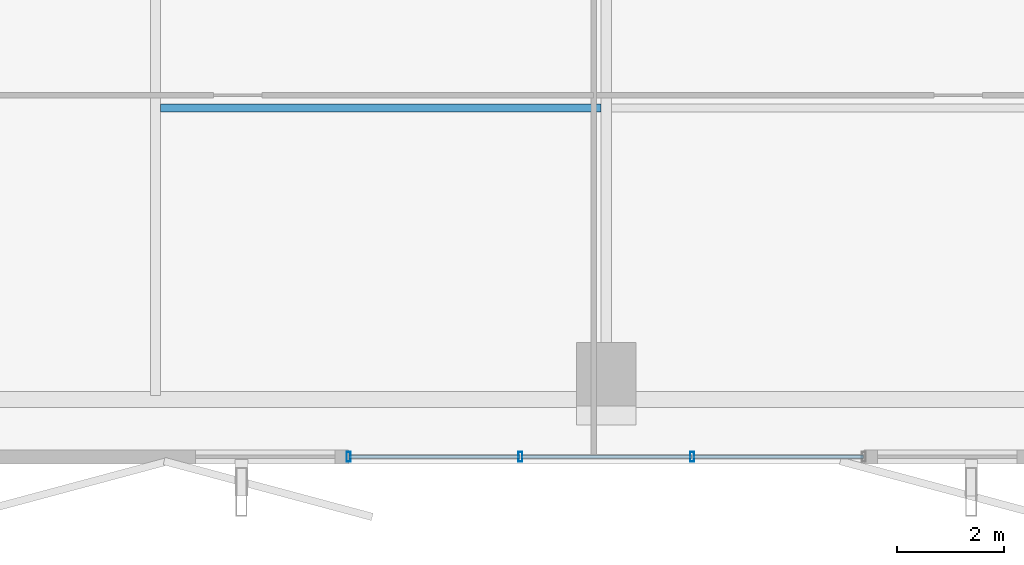
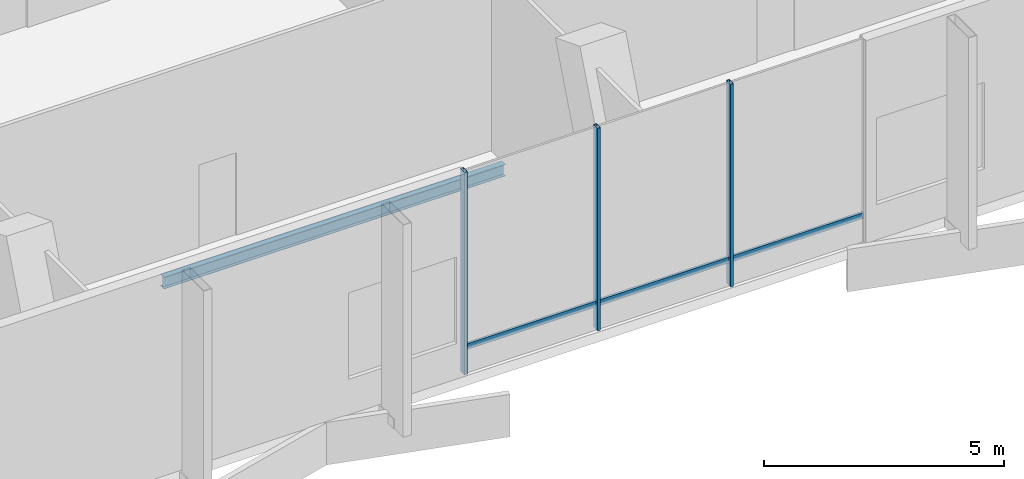
# One storey, part 5 of 33: 6 members, 1 beam, 1 element without a shape of its own.
"""IFC4 building model written with IfcOpenShell, lengths in metres."""

from ifc_helpers import new_model, si_unit, direction, frame, origin, origin_2d, place, context, subcontext, project, spatial, hollow_rectangle, i_section, extrude, material, layer, layer_set, material_profile, profile_set, type_object, element, aggregate, save


model = new_model("IFC4")

# Units and contexts
model_context = context("Model", 3, precision=1e-05, world=origin(), true_north=direction((0.0, 1.0)))
body_context = subcontext(model_context, "Body", "Model", "MODEL_VIEW")
ifc_project = project(units=[si_unit("LENGTHUNIT", "METRE"), si_unit("AREAUNIT", "SQUARE_METRE"), si_unit("VOLUMEUNIT", "CUBIC_METRE"), si_unit("PLANEANGLEUNIT", "RADIAN"), si_unit("MASSUNIT", "GRAM", prefix="KILO")], contexts=[model_context])

# Site, building, storey
site_placement = place(None, origin())
site = spatial("IfcSite", under=ifc_project, at=site_placement, CompositionType="ELEMENT")
building_placement = place(site_placement, origin())
building = spatial("IfcBuilding", under=site, at=building_placement, Name="Belovzor Exchange Tower", CompositionType="ELEMENT")
storey_placement = place(building_placement, frame((0.0, 0.0, 241.199951171875)))
storey = spatial("IfcBuildingStorey", under=building, at=storey_placement, Name="L60", CompositionType="ELEMENT", Elevation=241.199951171875)

# Beam
ifc_material_1 = material(Name="Steel S355", Category="steel")
ifc_material_profile_1 = material_profile(ifc_material_1, i_section(OverallWidth=0.14990234375, OverallDepth=0.300048828125, WebThickness=0.007080078125, FlangeThickness=0.0107421875, at=origin_2d()))
ifc_profile_set_1 = profile_set([ifc_material_profile_1], Name="Steel S355")
beam_type = type_object("IfcBeamType", Name="Secondary Trim Floor Joist IPE 300", PredefinedType="BEAM", material=ifc_profile_set_1)
beam_placement = place(storey_placement, frame((20.4951171875, 8.427001953125, -0.39990234375), z_axis=(1.0, 0.0, 0.0), x_axis=(0.0, 1.0, 0.0)))
element("IfcBeam", 1, at=beam_placement, inside=storey, type_object=beam_type, Name="FJ-300 Secondary Trim Floor Joist IPE 300", PredefinedType="BEAM", context=body_context, shape_type="SweptSolid", body=[
    extrude(i_section(OverallWidth=0.14990234375, OverallDepth=0.300048828125, WebThickness=0.007080078125, FlangeThickness=0.0107421875, at=origin_2d()), origin(), (0.0, 0.0, 1.0), 8.2099609375),
])

# Curtain wall, members
ifc_material_2 = material(Name="Anodised Aluminium Framing", Category="aluminium")
ifc_layer = layer(ifc_material_2, 0.239990234375)
ifc_layer_set = layer_set([ifc_layer], Name="Anodised Aluminium Framing")
curtain_wall_type = type_object("IfcCurtainWallType", Name="Sky-Lobby Double-Skin Acoustic Curtain Wall", PredefinedType="NOTDEFINED", material=ifc_layer_set)
curtain_wall_placement = place(storey_placement, origin())
curtain_wall = element("IfcCurtainWall", 2, at=curtain_wall_placement, inside=storey, type_object=curtain_wall_type, Name="CW4 Sky-Lobby Double-Skin Acoustic Curtain Wall L60", PredefinedType="NOTDEFINED")
ifc_material_3 = material(Name="Steel S355", Category="steel")
ifc_material_profile_2 = material_profile(ifc_material_3, hollow_rectangle(XDim=0.074951171875, YDim=0.179931640625, WallThickness=0.0048828125, at=origin_2d()))
ifc_profile_set_2 = profile_set([ifc_material_profile_2], Name="Steel S355")
member_type_1 = type_object("IfcMemberType", Name="Thermally Broken Curtain Wall Mullion 180x75", PredefinedType="MULLION", material=ifc_profile_set_2)
member_1_placement = place(storey_placement, frame((30.39990234375, 1.929931640625, 0.0), z_axis=(0.0, 0.0, 1.0), x_axis=(-1.0, 0.0, 0.0)))
member_1 = element("IfcMember", 3, at=member_1_placement, type_object=member_type_1, Name="CW-M180 Curtain Wall Mullion 2", PredefinedType="MULLION", context=body_context, shape_type="SweptSolid", body=[
    extrude(hollow_rectangle(XDim=0.074951171875, YDim=0.179931640625, WallThickness=0.0048828125, at=origin_2d()), origin(), (0.0, 0.0, 1.0), 5.150146484375),
])
member_2_placement = place(storey_placement, frame((27.199951171875, 1.929931640625, 0.0), z_axis=(0.0, 0.0, 1.0), x_axis=(-1.0, 0.0, 0.0)))
member_2 = element("IfcMember", 4, at=member_2_placement, type_object=member_type_1, Name="CW-M180 Curtain Wall Mullion 3", PredefinedType="MULLION", context=body_context, shape_type="SweptSolid", body=[
    extrude(hollow_rectangle(XDim=0.074951171875, YDim=0.179931640625, WallThickness=0.0048828125, at=origin_2d()), origin(), (0.0, 0.0, 1.0), 5.150146484375),
])
member_3_placement = place(storey_placement, frame((24.0, 1.929931640625, 0.0), z_axis=(0.0, 0.0, 1.0), x_axis=(-1.0, 0.0, 0.0)))
member_3 = element("IfcMember", 5, at=member_3_placement, type_object=member_type_1, Name="CW-M180 Curtain Wall Mullion 4", PredefinedType="MULLION", context=body_context, shape_type="SweptSolid", body=[
    extrude(hollow_rectangle(XDim=0.074951171875, YDim=0.179931640625, WallThickness=0.0048828125, at=origin_2d()), origin(), (0.0, 0.0, 1.0), 5.150146484375),
])
ifc_material_4 = material(Name="Steel S355", Category="steel")
ifc_material_profile_3 = material_profile(ifc_material_4, hollow_rectangle(XDim=0.06005859375, YDim=0.14990234375, WallThickness=0.00390625, at=origin_2d()))
ifc_profile_set_3 = profile_set([ifc_material_profile_3], Name="Steel S355")
member_type_2 = type_object("IfcMemberType", Name="Thermally Broken Curtain Wall Transom 150x60", PredefinedType="USERDEFINED", material=ifc_profile_set_3)
member_4_placement = place(storey_placement, frame((33.592041015625, 1.929931640625, 0.650146484375), z_axis=(-1.0, 0.0, 0.0), x_axis=(0.0, -1.0, 0.0)))
member_4 = element("IfcMember", 6, at=member_4_placement, type_object=member_type_2, Name="CW-T150 Curtain Wall Transom 1", ObjectType="TRANSOM", PredefinedType="USERDEFINED", context=body_context, shape_type="SweptSolid", body=[
    extrude(hollow_rectangle(XDim=0.06005859375, YDim=0.14990234375, WallThickness=0.00390625, at=origin_2d()), origin(), (0.0, 0.0, 1.0), 3.18408203125),
])
member_5_placement = place(storey_placement, frame((30.39208984375, 1.929931640625, 0.650146484375), z_axis=(-1.0, 0.0, 0.0), x_axis=(0.0, -1.0, 0.0)))
member_5 = element("IfcMember", 7, at=member_5_placement, type_object=member_type_2, Name="CW-T150 Curtain Wall Transom 2", ObjectType="TRANSOM", PredefinedType="USERDEFINED", context=body_context, shape_type="SweptSolid", body=[
    extrude(hollow_rectangle(XDim=0.06005859375, YDim=0.14990234375, WallThickness=0.00390625, at=origin_2d()), origin(), (0.0, 0.0, 1.0), 3.18408203125),
])
member_6_placement = place(storey_placement, frame((27.19189453125, 1.929931640625, 0.650146484375), z_axis=(-1.0, 0.0, 0.0), x_axis=(0.0, -1.0, 0.0)))
member_6 = element("IfcMember", 8, at=member_6_placement, type_object=member_type_2, Name="CW-T150 Curtain Wall Transom 3", ObjectType="TRANSOM", PredefinedType="USERDEFINED", context=body_context, shape_type="SweptSolid", body=[
    extrude(hollow_rectangle(XDim=0.06005859375, YDim=0.14990234375, WallThickness=0.00390625, at=origin_2d()), origin(), (0.0, 0.0, 1.0), 3.183837890625),
])
aggregate(curtain_wall, [member_1, member_2, member_3, member_4, member_5, member_6])

save(model, "model.ifc")
